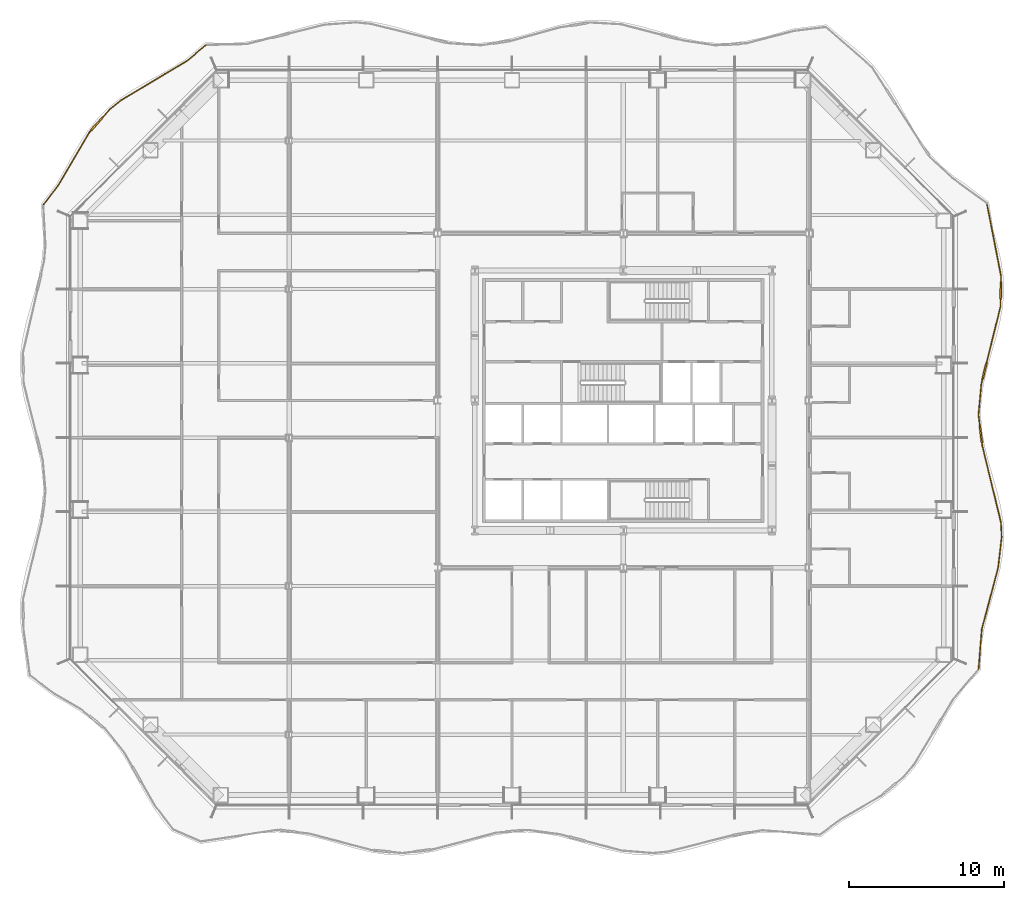
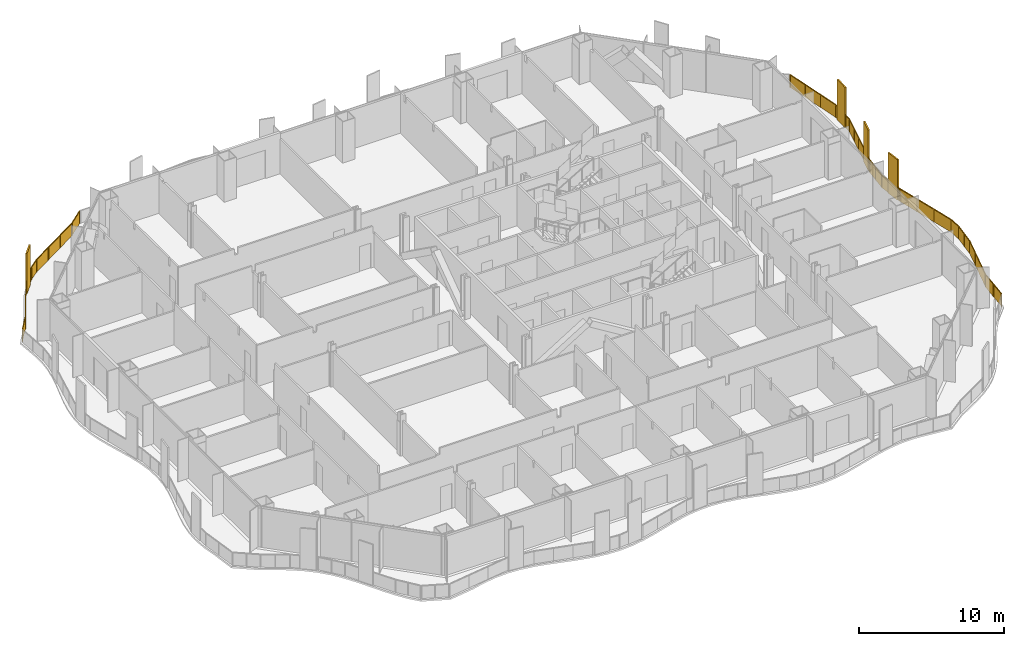
# One storey, part 19 of 21: 2 railings.
"""IFC4 building model written with IfcOpenShell, lengths in metres."""

from ifc_helpers import new_model, si_unit, direction, frame, origin, origin_2d, place, context, subcontext, project, spatial, polyline, rectangle, outline, extrude, material, type_object, element, save


model = new_model("IFC4")

# Units and contexts
model_context = context("Model", 3, precision=1e-05, world=origin(), true_north=direction((0.0, 1.0)))
body_context = subcontext(model_context, "Body", "Model", "MODEL_VIEW")
ifc_project = project(units=[si_unit("LENGTHUNIT", "METRE"), si_unit("AREAUNIT", "SQUARE_METRE"), si_unit("VOLUMEUNIT", "CUBIC_METRE"), si_unit("PLANEANGLEUNIT", "RADIAN"), si_unit("MASSUNIT", "GRAM", prefix="KILO")], contexts=[model_context])

# Site, building, storey
site_placement = place(None, origin())
site = spatial("IfcSite", under=ifc_project, at=site_placement, CompositionType="ELEMENT")
building_placement = place(site_placement, origin())
building = spatial("IfcBuilding", under=site, at=building_placement, Name="Cairn Pilgrim Tower", CompositionType="ELEMENT")
storey_placement = place(building_placement, frame((0.0, 0.0, 58.199951171875)))
storey = spatial("IfcBuildingStorey", under=building, at=storey_placement, Name="L12", CompositionType="ELEMENT", Elevation=58.199951171875)

# Railings
ifc_material = material(Name="Bronze anodised aluminium rail, posts and fin screens with laminated glass infill", Category="aluminium")
railing_type = type_object("IfcRailingType", Name="BALCONY GUARD WITH FIN SCREENS", PredefinedType="GUARDRAIL", material=ifc_material)
railing_1_placement = place(storey_placement, frame((30.154541015625, -14.961181640625, 0.0)))
element("IfcRailing", 1, at=railing_1_placement, inside=storey, type_object=railing_type, Name="Balcony guard BGF-3 with fin screens", PredefinedType="GUARDRAIL", context=body_context, shape_type="SweptSolid", body=[
    extrude(rectangle(XDim=0.050048828125, YDim=0.050048828125, at=origin_2d()), frame((0.0, 0.0, 1.0751953125), z_axis=(0.080955533096, 0.99671771413, 0.0), x_axis=(-0.99671771413, 0.080955533096, 0.0)), (0.0, 0.0, 1.0), 2.58154296875),
    extrude(rectangle(XDim=0.050048828125, YDim=0.050048828125, at=origin_2d()), frame((0.208984375, 2.572998046875, 1.0751953125), z_axis=(0.256631635165, 0.966509288022, 0.0), x_axis=(-0.966509288022, 0.256631635165, 0.0)), (0.0, 0.0, 1.0), 4.112548828125),
    extrude(rectangle(XDim=0.050048828125, YDim=0.050048828125, at=origin_2d()), frame((1.264404296875, 6.5478515625, 1.0751953125), z_axis=(0.116461462847, 0.993195211261, 0.0), x_axis=(-0.993195211261, 0.116461462847, 0.0)), (0.0, 0.0, 1.0), 1.976806640625),
    extrude(rectangle(XDim=0.050048828125, YDim=0.050048828125, at=origin_2d()), frame((1.49462890625, 8.51123046875, 1.0751953125), z_axis=(-0.047697041272, 0.998861848432, 0.0), x_axis=(-0.998861848432, -0.047697041272, 0.0)), (0.0, 0.0, 1.0), 0.967529296875),
    extrude(rectangle(XDim=0.050048828125, YDim=0.050048828125, at=origin_2d()), frame((1.448486328125, 9.4775390625, 1.0751953125), z_axis=(-0.236172172534, 0.971711225067, 0.0), x_axis=(-0.971711225067, -0.236172172534, 0.0)), (0.0, 0.0, 1.0), 5.1044921875),
    extrude(rectangle(XDim=1.10009765625, YDim=0.110107421875, at=origin_2d()), frame((0.152099609375, 15.17724609375, 0.0), z_axis=(0.0, 0.0, 1.0), x_axis=(-0.12206206884, 0.99252246894, 0.0)), (0.0, 0.0, 1.0), 3.39990234375),
    extrude(rectangle(XDim=0.050048828125, YDim=0.050048828125, at=origin_2d()), frame((0.242919921875, 14.437744140625, 1.0751953125), z_axis=(-0.12206206884, 0.99252246894, 0.0), x_axis=(-0.99252246894, -0.12206206884, 0.0)), (0.0, 0.0, 1.0), 0.195068359375),
    extrude(rectangle(XDim=0.050048828125, YDim=0.050048828125, at=origin_2d()), frame((0.0849609375, 15.72314453125, 1.0751953125), z_axis=(-0.12206206884, 0.99252246894, 0.0), x_axis=(-0.99252246894, -0.12206206884, 0.0)), (0.0, 0.0, 1.0), 0.731201171875),
    extrude(rectangle(XDim=0.050048828125, YDim=0.050048828125, at=origin_2d()), frame((-0.00439453125, 16.44873046875, 1.0751953125), z_axis=(0.094626824283, 0.995512814647, 0.0), x_axis=(-0.995512814647, 0.094626824283, 0.0)), (0.0, 0.0, 1.0), 2.022705078125),
    extrude(rectangle(XDim=1.10009765625, YDim=0.110107421875, at=origin_2d()), frame((0.38671875, 19.267578125, 0.0), z_axis=(0.0, 0.0, 1.0), x_axis=(0.24060160708, 0.970623957396, 0.0)), (0.0, 0.0, 1.0), 3.39990234375),
    extrude(rectangle(XDim=0.050048828125, YDim=0.050048828125, at=origin_2d()), frame((0.18701171875, 18.46240234375, 1.0751953125), z_axis=(0.24060160708, 0.970623957396, 0.0), x_axis=(-0.970623957396, 0.24060160708, 0.0)), (0.0, 0.0, 1.0), 0.279541015625),
    extrude(rectangle(XDim=0.050048828125, YDim=0.050048828125, at=origin_2d()), frame((0.51904296875, 19.801513671875, 1.0751953125), z_axis=(0.24060160708, 0.970623957396, 0.0), x_axis=(-0.970623957396, 0.24060160708, 0.0)), (0.0, 0.0, 1.0), 3.73046875),
    extrude(rectangle(XDim=1.10009765625, YDim=0.110107421875, at=origin_2d()), frame((1.439208984375, 24.496337890625, 0.0), z_axis=(0.0, 0.0, 1.0), x_axis=(0.021239896195, 0.999774407959, 0.0)), (0.0, 0.0, 1.0), 3.39990234375),
    extrude(rectangle(XDim=0.050048828125, YDim=0.050048828125, at=origin_2d()), frame((1.41650390625, 23.42236328125, 1.0751953125), z_axis=(0.021239896195, 0.999774407959, 0.0), x_axis=(-0.999774407959, 0.021239896195, 0.0)), (0.0, 0.0, 1.0), 0.524169921875),
    extrude(rectangle(XDim=0.050048828125, YDim=0.050048828125, at=origin_2d()), frame((1.450927734375, 25.046142578125, 1.0751953125), z_axis=(0.021239896195, 0.999774407959, 0.0), x_axis=(-0.999774407959, 0.021239896195, 0.0)), (0.0, 0.0, 1.0), 0.329833984375),
    extrude(rectangle(XDim=0.050048828125, YDim=0.050048828125, at=origin_2d()), frame((1.4580078125, 25.3759765625, 1.0751953125), z_axis=(-0.191346697176, 0.981522511958, 0.0), x_axis=(-0.981522511958, -0.191346697176, 0.0)), (0.0, 0.0, 1.0), 4.766845703125),
    extrude(rectangle(XDim=0.050048828125, YDim=0.050048828125, at=origin_2d()), origin(), (0.0, 0.0, 1.0), 1.050048828125),
    extrude(rectangle(XDim=0.050048828125, YDim=0.050048828125, at=origin_2d()), frame((0.1044921875, 1.28662109375, 0.0)), (0.0, 0.0, 1.0), 1.050048828125),
    extrude(rectangle(XDim=0.050048828125, YDim=0.050048828125, at=origin_2d()), frame((0.208984375, 2.572998046875, 0.0)), (0.0, 0.0, 1.0), 1.050048828125),
    extrude(rectangle(XDim=0.050048828125, YDim=0.050048828125, at=origin_2d()), frame((0.560791015625, 3.89794921875, 0.0)), (0.0, 0.0, 1.0), 1.050048828125),
    extrude(rectangle(XDim=0.050048828125, YDim=0.050048828125, at=origin_2d()), frame((0.91259765625, 5.222900390625, 0.0)), (0.0, 0.0, 1.0), 1.050048828125),
    extrude(rectangle(XDim=0.050048828125, YDim=0.050048828125, at=origin_2d()), frame((1.264404296875, 6.5478515625, 0.0)), (0.0, 0.0, 1.0), 1.050048828125),
    extrude(rectangle(XDim=0.050048828125, YDim=0.050048828125, at=origin_2d()), frame((1.37939453125, 7.529541015625, 0.0)), (0.0, 0.0, 1.0), 1.050048828125),
    extrude(rectangle(XDim=0.050048828125, YDim=0.050048828125, at=origin_2d()), frame((1.49462890625, 8.51123046875, 0.0)), (0.0, 0.0, 1.0), 1.050048828125),
    extrude(rectangle(XDim=0.050048828125, YDim=0.050048828125, at=origin_2d()), frame((1.448486328125, 9.4775390625, 0.0)), (0.0, 0.0, 1.0), 1.050048828125),
    extrude(rectangle(XDim=0.050048828125, YDim=0.050048828125, at=origin_2d()), frame((1.046630859375, 11.130859375, 0.0)), (0.0, 0.0, 1.0), 1.050048828125),
    extrude(rectangle(XDim=0.050048828125, YDim=0.050048828125, at=origin_2d()), frame((0.644775390625, 12.784423828125, 0.0)), (0.0, 0.0, 1.0), 1.050048828125),
    extrude(rectangle(XDim=0.050048828125, YDim=0.050048828125, at=origin_2d()), frame((0.242919921875, 14.437744140625, 0.0)), (0.0, 0.0, 1.0), 1.050048828125),
    extrude(rectangle(XDim=0.050048828125, YDim=0.050048828125, at=origin_2d()), frame((0.22216796875, 14.6064453125, 0.0)), (0.0, 0.0, 1.0), 1.050048828125),
    extrude(rectangle(XDim=0.050048828125, YDim=0.050048828125, at=origin_2d()), frame((0.081787109375, 15.747802734375, 0.0)), (0.0, 0.0, 1.0), 1.050048828125),
    extrude(rectangle(XDim=0.050048828125, YDim=0.050048828125, at=origin_2d()), frame((-0.00439453125, 16.44873046875, 0.0)), (0.0, 0.0, 1.0), 1.050048828125),
    extrude(rectangle(XDim=0.050048828125, YDim=0.050048828125, at=origin_2d()), frame((0.09130859375, 17.45556640625, 0.0)), (0.0, 0.0, 1.0), 1.050048828125),
    extrude(rectangle(XDim=0.050048828125, YDim=0.050048828125, at=origin_2d()), frame((0.18701171875, 18.46240234375, 0.0)), (0.0, 0.0, 1.0), 1.050048828125),
    extrude(rectangle(XDim=0.050048828125, YDim=0.050048828125, at=origin_2d()), frame((0.248291015625, 18.70947265625, 0.0)), (0.0, 0.0, 1.0), 1.050048828125),
    extrude(rectangle(XDim=0.050048828125, YDim=0.050048828125, at=origin_2d()), frame((0.52490234375, 19.82568359375, 0.0)), (0.0, 0.0, 1.0), 1.050048828125),
    extrude(rectangle(XDim=0.050048828125, YDim=0.050048828125, at=origin_2d()), frame((0.822265625, 21.024658203125, 0.0)), (0.0, 0.0, 1.0), 1.050048828125),
    extrude(rectangle(XDim=0.050048828125, YDim=0.050048828125, at=origin_2d()), frame((1.119384765625, 22.223388671875, 0.0)), (0.0, 0.0, 1.0), 1.050048828125),
    extrude(rectangle(XDim=0.050048828125, YDim=0.050048828125, at=origin_2d()), frame((1.41650390625, 23.42236328125, 0.0)), (0.0, 0.0, 1.0), 1.050048828125),
    extrude(rectangle(XDim=0.050048828125, YDim=0.050048828125, at=origin_2d()), frame((1.427001953125, 23.92138671875, 0.0)), (0.0, 0.0, 1.0), 1.050048828125),
    extrude(rectangle(XDim=0.050048828125, YDim=0.050048828125, at=origin_2d()), frame((1.451416015625, 25.0712890625, 0.0)), (0.0, 0.0, 1.0), 1.050048828125),
    extrude(rectangle(XDim=0.050048828125, YDim=0.050048828125, at=origin_2d()), frame((1.4580078125, 25.3759765625, 0.0)), (0.0, 0.0, 1.0), 1.050048828125),
    extrude(rectangle(XDim=0.050048828125, YDim=0.050048828125, at=origin_2d()), frame((1.154052734375, 26.935546875, 0.0)), (0.0, 0.0, 1.0), 1.050048828125),
    extrude(rectangle(XDim=0.050048828125, YDim=0.050048828125, at=origin_2d()), frame((0.849853515625, 28.4951171875, 0.0)), (0.0, 0.0, 1.0), 1.050048828125),
    extrude(rectangle(XDim=0.050048828125, YDim=0.050048828125, at=origin_2d()), frame((0.5458984375, 30.0546875, 0.0)), (0.0, 0.0, 1.0), 1.050048828125),
    extrude(outline(polyline([(0.02490234375, 0.0), (1.265625, 0.0), (1.265625, 1.050048828125), (0.02490234375, 1.050048828125), (0.02490234375, 0.0)])), frame((-0.005859375, 0.00048828125, 0.0), z_axis=(0.99671771413, -0.080955533096, 0.0), x_axis=(0.080955533096, 0.99671771413, 0.0)), (0.0, 0.0, 1.0), 0.011962890625),
    extrude(outline(polyline([(0.02490234375, 0.0), (1.265625, 0.0), (1.265625, 1.050048828125), (0.02490234375, 1.050048828125), (0.02490234375, 0.0)])), frame((0.0986328125, 1.286865234375, 0.0), z_axis=(0.99671771413, -0.080955533096, 0.0), x_axis=(0.080955533096, 0.99671771413, 0.0)), (0.0, 0.0, 1.0), 0.011962890625),
    extrude(outline(polyline([(0.02490234375, 0.0), (1.345947265625, 0.0), (1.345947265625, 1.050048828125), (0.02490234375, 1.050048828125), (0.02490234375, 0.0)])), frame((0.203125, 2.574462890625, 0.0), z_axis=(0.966509288022, -0.256631635165, 0.0), x_axis=(0.256631635165, 0.966509288022, 0.0)), (0.0, 0.0, 1.0), 0.011962890625),
    extrude(outline(polyline([(0.02490234375, 0.0), (1.345947265625, 0.0), (1.345947265625, 1.050048828125), (0.02490234375, 1.050048828125), (0.02490234375, 0.0)])), frame((0.554931640625, 3.8994140625, 0.0), z_axis=(0.966509288022, -0.256631635165, 0.0), x_axis=(0.256631635165, 0.966509288022, 0.0)), (0.0, 0.0, 1.0), 0.011962890625),
    extrude(outline(polyline([(0.02490234375, 0.0), (1.345947265625, 0.0), (1.345947265625, 1.050048828125), (0.02490234375, 1.050048828125), (0.02490234375, 0.0)])), frame((0.90673828125, 5.224365234375, 0.0), z_axis=(0.966509288022, -0.256631635165, 0.0), x_axis=(0.256631635165, 0.966509288022, 0.0)), (0.0, 0.0, 1.0), 0.011962890625),
    extrude(outline(polyline([(0.02490234375, 0.0), (0.96337890625, 0.0), (0.96337890625, 1.050048828125), (0.02490234375, 1.050048828125), (0.02490234375, 0.0)])), frame((1.258544921875, 6.548583984375, 0.0), z_axis=(0.993195211261, -0.116461462847, 0.0), x_axis=(0.116461462847, 0.993195211261, 0.0)), (0.0, 0.0, 1.0), 0.011962890625),
    extrude(outline(polyline([(0.02490234375, 0.0), (0.96337890625, 0.0), (0.96337890625, 1.050048828125), (0.02490234375, 1.050048828125), (0.02490234375, 0.0)])), frame((1.37353515625, 7.5302734375, 0.0), z_axis=(0.993195211261, -0.116461462847, 0.0), x_axis=(0.116461462847, 0.993195211261, 0.0)), (0.0, 0.0, 1.0), 0.011962890625),
    extrude(outline(polyline([(0.02490234375, 0.0), (0.9423828125, 0.0), (0.9423828125, 1.050048828125), (0.02490234375, 1.050048828125), (0.02490234375, 0.0)])), frame((1.48876953125, 8.510986328125, 0.0), z_axis=(0.998861848432, 0.047697041272, 0.0), x_axis=(-0.047697041272, 0.998861848432, 0.0)), (0.0, 0.0, 1.0), 0.011962890625),
    extrude(outline(polyline([(0.02490234375, 0.0), (1.676513671875, 0.0), (1.676513671875, 1.050048828125), (0.02490234375, 1.050048828125), (0.02490234375, 0.0)])), frame((1.442626953125, 9.47607421875, 0.0), z_axis=(0.971711225067, 0.236172172534, 0.0), x_axis=(-0.236172172534, 0.971711225067, 0.0)), (0.0, 0.0, 1.0), 0.011962890625),
    extrude(outline(polyline([(0.02490234375, 0.0), (1.676513671875, 0.0), (1.676513671875, 1.050048828125), (0.02490234375, 1.050048828125), (0.02490234375, 0.0)])), frame((1.040771484375, 11.129638671875, 0.0), z_axis=(0.971711225067, 0.236172172534, 0.0), x_axis=(-0.236172172534, 0.971711225067, 0.0)), (0.0, 0.0, 1.0), 0.011962890625),
    extrude(outline(polyline([(0.02490234375, 0.0), (1.676513671875, 0.0), (1.676513671875, 1.050048828125), (0.02490234375, 1.050048828125), (0.02490234375, 0.0)])), frame((0.638916015625, 12.782958984375, 0.0), z_axis=(0.971711225067, 0.236172172534, 0.0), x_axis=(-0.236172172534, 0.971711225067, 0.0)), (0.0, 0.0, 1.0), 0.011962890625),
    extrude(outline(polyline([(0.02490234375, 0.0), (0.14501953125, 0.0), (0.14501953125, 1.050048828125), (0.02490234375, 1.050048828125), (0.02490234375, 0.0)])), frame((0.237060546875, 14.43701171875, 0.0), z_axis=(0.99252246894, 0.12206206884, 0.0), x_axis=(-0.12206206884, 0.99252246894, 0.0)), (0.0, 0.0, 1.0), 0.011962890625),
    extrude(outline(polyline([(0.02490234375, 0.0), (0.68115234375, 0.0), (0.68115234375, 1.050048828125), (0.02490234375, 1.050048828125), (0.02490234375, 0.0)])), frame((0.075927734375, 15.7470703125, 0.0), z_axis=(0.99252246894, 0.12206206884, 0.0), x_axis=(-0.12206206884, 0.99252246894, 0.0)), (0.0, 0.0, 1.0), 0.011962890625),
    extrude(outline(polyline([(0.02490234375, 0.0), (0.986328125, 0.0), (0.986328125, 1.050048828125), (0.02490234375, 1.050048828125), (0.02490234375, 0.0)])), frame((-0.01025390625, 16.44921875, 0.0), z_axis=(0.995512814647, -0.094626824283, 0.0), x_axis=(0.094626824283, 0.995512814647, 0.0)), (0.0, 0.0, 1.0), 0.011962890625),
    extrude(outline(polyline([(0.02490234375, 0.0), (0.986328125, 0.0), (0.986328125, 1.050048828125), (0.02490234375, 1.050048828125), (0.02490234375, 0.0)])), frame((0.08544921875, 17.4560546875, 0.0), z_axis=(0.995512814647, -0.094626824283, 0.0), x_axis=(0.094626824283, 0.995512814647, 0.0)), (0.0, 0.0, 1.0), 0.011962890625),
    extrude(outline(polyline([(0.02490234375, 0.0), (0.2294921875, 0.0), (0.2294921875, 1.050048828125), (0.02490234375, 1.050048828125), (0.02490234375, 0.0)])), frame((0.18115234375, 18.4638671875, 0.0), z_axis=(0.970623957396, -0.24060160708, 0.0), x_axis=(0.24060160708, 0.970623957396, 0.0)), (0.0, 0.0, 1.0), 0.011962890625),
    extrude(outline(polyline([(0.02490234375, 0.0), (1.210205078125, 0.0), (1.210205078125, 1.050048828125), (0.02490234375, 1.050048828125), (0.02490234375, 0.0)])), frame((0.51904296875, 19.8271484375, 0.0), z_axis=(0.970623957396, -0.24060160708, 0.0), x_axis=(0.24060160708, 0.970623957396, 0.0)), (0.0, 0.0, 1.0), 0.011962890625),
    extrude(outline(polyline([(0.02490234375, 0.0), (1.210205078125, 0.0), (1.210205078125, 1.050048828125), (0.02490234375, 1.050048828125), (0.02490234375, 0.0)])), frame((0.81640625, 21.026123046875, 0.0), z_axis=(0.970623957396, -0.24060160708, 0.0), x_axis=(0.24060160708, 0.970623957396, 0.0)), (0.0, 0.0, 1.0), 0.011962890625),
    extrude(outline(polyline([(0.02490234375, 0.0), (1.210205078125, 0.0), (1.210205078125, 1.050048828125), (0.02490234375, 1.050048828125), (0.02490234375, 0.0)])), frame((1.113525390625, 22.224853515625, 0.0), z_axis=(0.970623957396, -0.24060160708, 0.0), x_axis=(0.24060160708, 0.970623957396, 0.0)), (0.0, 0.0, 1.0), 0.011962890625),
    extrude(outline(polyline([(0.02490234375, 0.0), (0.47412109375, 0.0), (0.47412109375, 1.050048828125), (0.02490234375, 1.050048828125), (0.02490234375, 0.0)])), frame((1.41064453125, 23.422607421875, 0.0), z_axis=(0.999774407959, -0.021239896195, 0.0), x_axis=(0.021239896195, 0.999774407959, 0.0)), (0.0, 0.0, 1.0), 0.011962890625),
    extrude(outline(polyline([(0.02490234375, 0.0), (0.27978515625, 0.0), (0.27978515625, 1.050048828125), (0.02490234375, 1.050048828125), (0.02490234375, 0.0)])), frame((1.445556640625, 25.0712890625, 0.0), z_axis=(0.999774407959, -0.021239896195, 0.0), x_axis=(0.021239896195, 0.999774407959, 0.0)), (0.0, 0.0, 1.0), 0.011962890625),
    extrude(outline(polyline([(0.02490234375, 0.0), (1.56396484375, 0.0), (1.56396484375, 1.050048828125), (0.02490234375, 1.050048828125), (0.02490234375, 0.0)])), frame((1.4521484375, 25.374755859375, 0.0), z_axis=(0.981522511958, 0.191346697176, 0.0), x_axis=(-0.191346697176, 0.981522511958, 0.0)), (0.0, 0.0, 1.0), 0.011962890625),
    extrude(outline(polyline([(0.02490234375, 0.0), (1.56396484375, 0.0), (1.56396484375, 1.050048828125), (0.02490234375, 1.050048828125), (0.02490234375, 0.0)])), frame((1.148193359375, 26.934326171875, 0.0), z_axis=(0.981522511958, 0.191346697176, 0.0), x_axis=(-0.191346697176, 0.981522511958, 0.0)), (0.0, 0.0, 1.0), 0.011962890625),
    extrude(outline(polyline([(0.02490234375, 0.0), (1.56396484375, 0.0), (1.56396484375, 1.050048828125), (0.02490234375, 1.050048828125), (0.02490234375, 0.0)])), frame((0.843994140625, 28.493896484375, 0.0), z_axis=(0.981522511958, 0.191346697176, 0.0), x_axis=(-0.191346697176, 0.981522511958, 0.0)), (0.0, 0.0, 1.0), 0.011962890625),
])
railing_2_placement = place(storey_placement, frame((-19.7783203125, 25.3837890625, 0.0)))
element("IfcRailing", 2, at=railing_2_placement, inside=storey, type_object=railing_type, Name="Balcony guard BGF-6 with fin screens", PredefinedType="GUARDRAIL", context=body_context, shape_type="SweptSolid", body=[
    extrude(rectangle(XDim=0.050048828125, YDim=0.050048828125, at=origin_2d()), frame((0.0, 0.0, 1.0751953125), z_axis=(-0.762967130192, -0.646437280984, 0.0), x_axis=(0.646437280984, -0.762967130192, 0.0)), (0.0, 0.0, 1.0), 1.5693359375),
    extrude(rectangle(XDim=0.050048828125, YDim=0.050048828125, at=origin_2d()), frame((-1.197265625, -1.014404296875, 1.0751953125), z_axis=(-0.858262906859, -0.513210271439, 0.0), x_axis=(0.513210271439, -0.858262906859, 0.0)), (0.0, 0.0, 1.0), 5.001708984375),
    extrude(rectangle(XDim=0.050048828125, YDim=0.050048828125, at=origin_2d()), frame((-5.489990234375, -3.581298828125, 1.0751953125), z_axis=(-0.77775800909, -0.628563822771, 0.0), x_axis=(0.628563822771, -0.77775800909, 0.0)), (0.0, 0.0, 1.0), 0.952392578125),
    extrude(rectangle(XDim=1.10009765625, YDim=0.110107421875, at=origin_2d()), frame((-7.03955078125, -5.087158203125, 0.0), z_axis=(0.0, 0.0, 1.0), x_axis=(-0.665415300488, -0.74647336046, 0.0)), (0.0, 0.0, 1.0), 3.39990234375),
    extrude(rectangle(XDim=0.050048828125, YDim=0.050048828125, at=origin_2d()), frame((-6.230712890625, -4.179931640625, 1.0751953125), z_axis=(-0.665415300488, -0.74647336046, 0.0), x_axis=(0.74647336046, -0.665415300488, 0.0)), (0.0, 0.0, 1.0), 0.66552734375),
    extrude(rectangle(XDim=0.050048828125, YDim=0.050048828125, at=origin_2d()), frame((-7.405517578125, -5.497802734375, 1.0751953125), z_axis=(-0.665415300488, -0.74647336046, 0.0), x_axis=(0.74647336046, -0.665415300488, 0.0)), (0.0, 0.0, 1.0), 0.150146484375),
    extrude(rectangle(XDim=0.050048828125, YDim=0.050048828125, at=origin_2d()), frame((-7.50537109375, -5.60986328125, 1.0751953125), z_axis=(-0.506462888529, -0.862261759875, 0.0), x_axis=(0.862261759875, -0.506462888529, 0.0)), (0.0, 0.0, 1.0), 4.00244140625),
    extrude(rectangle(XDim=0.050048828125, YDim=0.050048828125, at=origin_2d()), frame((-9.532470703125, -9.06103515625, 1.0751953125), z_axis=(-0.611287429122, -0.791408667502, 0.0), x_axis=(0.791408667502, -0.611287429122, 0.0)), (0.0, 0.0, 1.0), 1.562744140625),
    extrude(rectangle(XDim=0.050048828125, YDim=0.050048828125, at=origin_2d()), origin(), (0.0, 0.0, 1.0), 1.050048828125),
    extrude(rectangle(XDim=0.050048828125, YDim=0.050048828125, at=origin_2d()), frame((-1.197265625, -1.014404296875, 0.0)), (0.0, 0.0, 1.0), 1.050048828125),
    extrude(rectangle(XDim=0.050048828125, YDim=0.050048828125, at=origin_2d()), frame((-2.628173828125, -1.8701171875, 0.0)), (0.0, 0.0, 1.0), 1.050048828125),
    extrude(rectangle(XDim=0.050048828125, YDim=0.050048828125, at=origin_2d()), frame((-4.05908203125, -2.7255859375, 0.0)), (0.0, 0.0, 1.0), 1.050048828125),
    extrude(rectangle(XDim=0.050048828125, YDim=0.050048828125, at=origin_2d()), frame((-5.489990234375, -3.581298828125, 0.0)), (0.0, 0.0, 1.0), 1.050048828125),
    extrude(rectangle(XDim=0.050048828125, YDim=0.050048828125, at=origin_2d()), frame((-6.230712890625, -4.179931640625, 0.0)), (0.0, 0.0, 1.0), 1.050048828125),
    extrude(rectangle(XDim=0.050048828125, YDim=0.050048828125, at=origin_2d()), frame((-6.656982421875, -4.657958984375, 0.0)), (0.0, 0.0, 1.0), 1.050048828125),
    extrude(rectangle(XDim=0.050048828125, YDim=0.050048828125, at=origin_2d()), frame((-7.422119140625, -5.516357421875, 0.0)), (0.0, 0.0, 1.0), 1.050048828125),
    extrude(rectangle(XDim=0.050048828125, YDim=0.050048828125, at=origin_2d()), frame((-7.50537109375, -5.60986328125, 0.0)), (0.0, 0.0, 1.0), 1.050048828125),
    extrude(rectangle(XDim=0.050048828125, YDim=0.050048828125, at=origin_2d()), frame((-8.18115234375, -6.76025390625, 0.0)), (0.0, 0.0, 1.0), 1.050048828125),
    extrude(rectangle(XDim=0.050048828125, YDim=0.050048828125, at=origin_2d()), frame((-8.856689453125, -7.91064453125, 0.0)), (0.0, 0.0, 1.0), 1.050048828125),
    extrude(rectangle(XDim=0.050048828125, YDim=0.050048828125, at=origin_2d()), frame((-9.532470703125, -9.06103515625, 0.0)), (0.0, 0.0, 1.0), 1.050048828125),
    extrude(rectangle(XDim=0.050048828125, YDim=0.050048828125, at=origin_2d()), frame((-10.48779296875, -10.2978515625, 0.0)), (0.0, 0.0, 1.0), 1.050048828125),
    extrude(outline(polyline([(0.02490234375, 0.0), (1.544189453125, 0.0), (1.544189453125, 1.050048828125), (0.02490234375, 1.050048828125), (0.02490234375, 0.0)])), frame((0.00390625, -0.004638671875, 0.0), z_axis=(-0.646437280984, 0.762967130192, 0.0), x_axis=(-0.762967130192, -0.646437280984, 0.0)), (0.0, 0.0, 1.0), 0.011962890625),
    extrude(outline(polyline([(0.02490234375, 0.0), (1.64208984375, 0.0), (1.64208984375, 1.050048828125), (0.02490234375, 1.050048828125), (0.02490234375, 0.0)])), frame((-1.194091796875, -1.01953125, 0.0), z_axis=(-0.513210271439, 0.858262906859, 0.0), x_axis=(-0.858262906859, -0.513210271439, 0.0)), (0.0, 0.0, 1.0), 0.011962890625),
    extrude(outline(polyline([(0.02490234375, 0.0), (1.64208984375, 0.0), (1.64208984375, 1.050048828125), (0.02490234375, 1.050048828125), (0.02490234375, 0.0)])), frame((-2.625, -1.875244140625, 0.0), z_axis=(-0.513210271439, 0.858262906859, 0.0), x_axis=(-0.858262906859, -0.513210271439, 0.0)), (0.0, 0.0, 1.0), 0.011962890625),
    extrude(outline(polyline([(0.02490234375, 0.0), (1.64208984375, 0.0), (1.64208984375, 1.050048828125), (0.02490234375, 1.050048828125), (0.02490234375, 0.0)])), frame((-4.055908203125, -2.730712890625, 0.0), z_axis=(-0.513210271439, 0.858262906859, 0.0), x_axis=(-0.858262906859, -0.513210271439, 0.0)), (0.0, 0.0, 1.0), 0.011962890625),
    extrude(outline(polyline([(0.02490234375, 0.0), (0.92724609375, 0.0), (0.92724609375, 1.050048828125), (0.02490234375, 1.050048828125), (0.02490234375, 0.0)])), frame((-5.486328125, -3.5859375, 0.0), z_axis=(-0.628563822771, 0.77775800909, 0.0), x_axis=(-0.77775800909, -0.628563822771, 0.0)), (0.0, 0.0, 1.0), 0.011962890625),
    extrude(outline(polyline([(0.02490234375, 0.0), (0.615478515625, 0.0), (0.615478515625, 1.050048828125), (0.02490234375, 1.050048828125), (0.02490234375, 0.0)])), frame((-6.226318359375, -4.183837890625, 0.0), z_axis=(-0.74647336046, 0.665415300488, 0.0), x_axis=(-0.665415300488, -0.74647336046, 0.0)), (0.0, 0.0, 1.0), 0.011962890625),
    extrude(outline(polyline([(0.02490234375, 0.0), (0.10009765625, 0.0), (0.10009765625, 1.050048828125), (0.02490234375, 1.050048828125), (0.02490234375, 0.0)])), frame((-7.417724609375, -5.5205078125, 0.0), z_axis=(-0.74647336046, 0.665415300488, 0.0), x_axis=(-0.665415300488, -0.74647336046, 0.0)), (0.0, 0.0, 1.0), 0.011962890625),
    extrude(outline(polyline([(0.02490234375, 0.0), (1.30908203125, 0.0), (1.30908203125, 1.050048828125), (0.02490234375, 1.050048828125), (0.02490234375, 0.0)])), frame((-7.500244140625, -5.61279296875, 0.0), z_axis=(-0.862261759875, 0.506462888529, 0.0), x_axis=(-0.506462888529, -0.862261759875, 0.0)), (0.0, 0.0, 1.0), 0.011962890625),
    extrude(outline(polyline([(0.02490234375, 0.0), (1.30908203125, 0.0), (1.30908203125, 1.050048828125), (0.02490234375, 1.050048828125), (0.02490234375, 0.0)])), frame((-8.176025390625, -6.76318359375, 0.0), z_axis=(-0.862261759875, 0.506462888529, 0.0), x_axis=(-0.506462888529, -0.862261759875, 0.0)), (0.0, 0.0, 1.0), 0.011962890625),
    extrude(outline(polyline([(0.02490234375, 0.0), (1.30908203125, 0.0), (1.30908203125, 1.050048828125), (0.02490234375, 1.050048828125), (0.02490234375, 0.0)])), frame((-8.8515625, -7.91357421875, 0.0), z_axis=(-0.862261759875, 0.506462888529, 0.0), x_axis=(-0.506462888529, -0.862261759875, 0.0)), (0.0, 0.0, 1.0), 0.011962890625),
    extrude(outline(polyline([(0.02490234375, 0.0), (1.537841796875, 0.0), (1.537841796875, 1.050048828125), (0.02490234375, 1.050048828125), (0.02490234375, 0.0)])), frame((-9.52783203125, -9.064697265625, 0.0), z_axis=(-0.791408667502, 0.611287429122, 0.0), x_axis=(-0.611287429122, -0.791408667502, 0.0)), (0.0, 0.0, 1.0), 0.011962890625),
])

save(model, "model.ifc")
